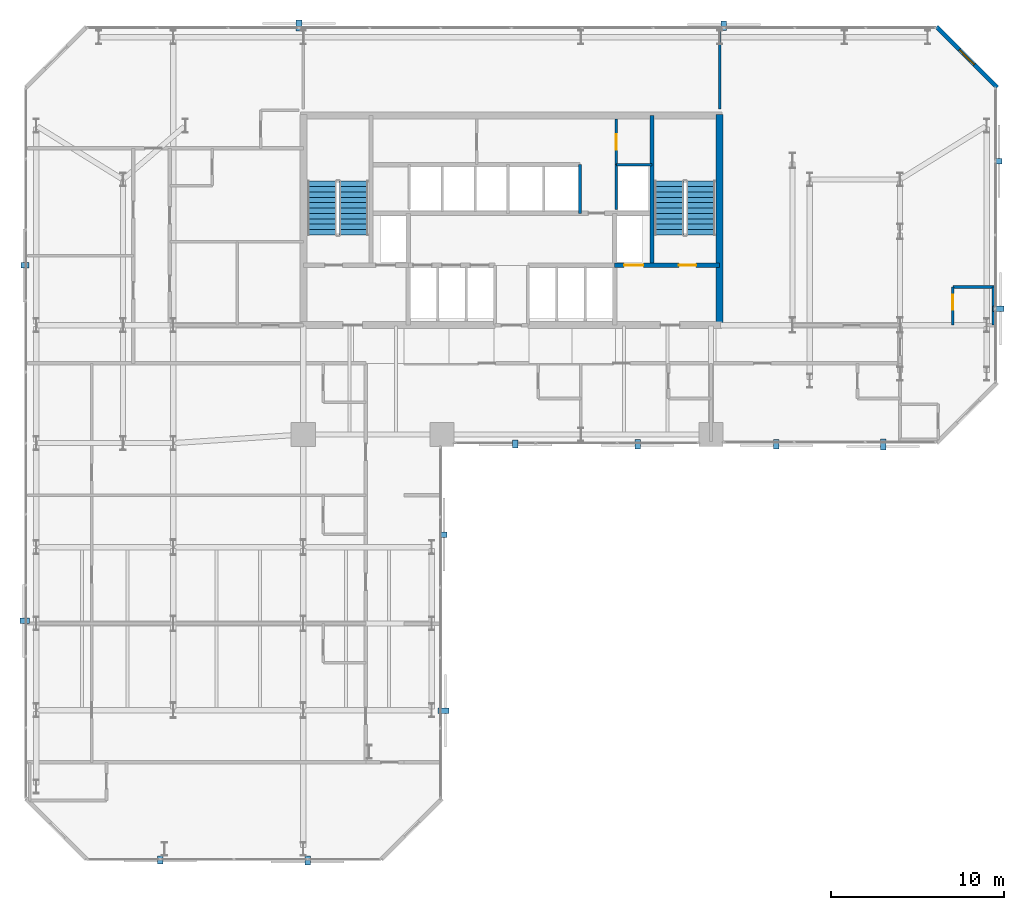
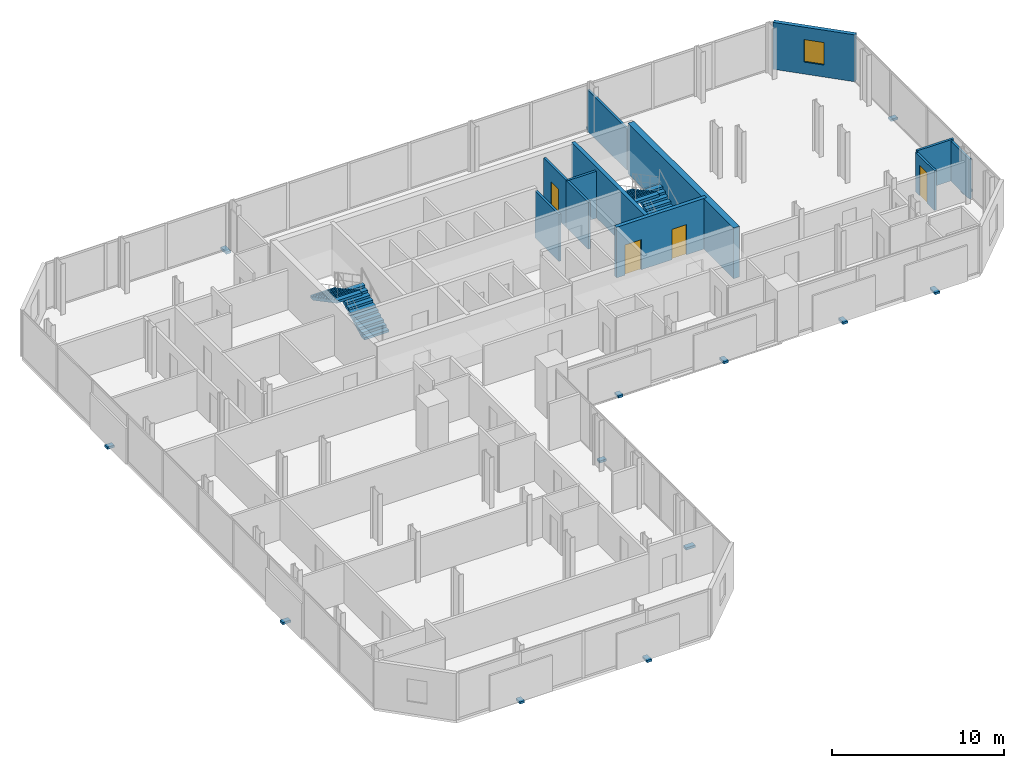
# One storey, part 31 of 33: 14 discrete accessories, 12 walls, 4 doors, 4 stair flights, 1 window, 5 openings, 2 elements without a shape of their own.
"""IFC4 building model written with IfcOpenShell, lengths in metres."""

from ifc_helpers import new_model, si_unit, direction, frame, frame_2d, origin, origin_2d, place, context, subcontext, project, spatial, polyline, rectangle, outline, extrude, material, layer, layer_set, type_object, element, fill, aggregate, save


model = new_model("IFC4")

# Units and contexts
model_context = context("Model", 3, precision=1e-05, world=origin(), true_north=direction((0.0, 1.0)))
body_context = subcontext(model_context, "Body", "Model", "MODEL_VIEW")
ifc_project = project(units=[si_unit("LENGTHUNIT", "METRE"), si_unit("AREAUNIT", "SQUARE_METRE"), si_unit("VOLUMEUNIT", "CUBIC_METRE"), si_unit("PLANEANGLEUNIT", "RADIAN"), si_unit("MASSUNIT", "GRAM", prefix="KILO")], contexts=[model_context])

# Site, building, storey
site_placement = place(None, origin())
site = spatial("IfcSite", under=ifc_project, at=site_placement, CompositionType="ELEMENT")
building_placement = place(site_placement, origin())
building = spatial("IfcBuilding", under=site, at=building_placement, Name="Catumbela Crestline Tower", CompositionType="ELEMENT")
storey_placement = place(building_placement, frame((0.0, 0.0, 54.6)))
storey = spatial("IfcBuildingStorey", under=building, at=storey_placement, Name="L13", CompositionType="ELEMENT", Elevation=54.6)

# Wall
ifc_material_1 = material(Name="Concrete C50/60", Category="concrete")
ifc_layer_1 = layer(ifc_material_1, 0.25, Name="Concrete C50/60")
ifc_layer_set_1 = layer_set([ifc_layer_1], Name="Concrete C50/60")
wall_type_1 = type_object("IfcWallType", Name="CW-250D", PredefinedType="SHEAR", material=ifc_layer_set_1)
wall_1_placement = place(storey_placement, frame((36.1, 34.25, 0.0), z_axis=(0.0, 0.0, 1.0), x_axis=(0.0, 1.0, 0.0)))
element("IfcWall", 1, at=wall_1_placement, inside=storey, type_object=wall_type_1, Name="L13 Structural Core Shear Wall EWEB", PredefinedType="SHEAR", context=body_context, shape_type="SweptSolid", body=[
    extrude(rectangle(XDim=8.65, YDim=0.25, at=frame_2d((4.325, 0.0))), origin(), (0.0, 0.0, 1.0), 3.6),
])

# Wall, openings, doors
wall_2_placement = place(storey_placement, frame((33.95, 34.25, 0.0), z_axis=(0.0, 0.0, 1.0), x_axis=(1.0, 0.0, 0.0)))
wall_2 = element("IfcWall", 2, at=wall_2_placement, inside=storey, type_object=wall_type_1, Name="L13 Structural Core Shear Wall ST2S", PredefinedType="SHEAR", context=body_context, shape_type="SweptSolid", body=[
    extrude(rectangle(XDim=6.05, YDim=0.25, at=frame_2d((3.025, 0.0))), origin(), (0.0, 0.0, 1.0), 3.6),
])
opening_1_placement = place(wall_2_placement, frame((3.7, 0.0, 0.0)))
opening_1 = element("IfcOpeningElement", 3, at=opening_1_placement, cuts=wall_2, Name="Opening DF9-100", PredefinedType="OPENING", context=body_context, shape_type="SweptSolid", body=[
    extrude(rectangle(XDim=1.0, YDim=2.15, at=frame_2d((0.5, 1.075))), frame((0.0, 0.135, 0.0), z_axis=(0.0, -1.0, 0.0), x_axis=(1.0, 0.0, 0.0)), (0.0, 0.0, 1.0), 0.27),
])
opening_2_placement = place(wall_2_placement, frame((0.55, 0.0, 0.0)))
opening_2 = element("IfcOpeningElement", 4, at=opening_2_placement, cuts=wall_2, Name="Opening LD-110", PredefinedType="OPENING", context=body_context, shape_type="SweptSolid", body=[
    extrude(rectangle(XDim=1.1, YDim=2.15, at=frame_2d((0.55, 1.075))), frame((0.0, 0.135, 0.0), z_axis=(0.0, -1.0, 0.0), x_axis=(1.0, 0.0, 0.0)), (0.0, 0.0, 1.0), 0.27),
])
ifc_material_2 = material(Name="Stainless steel EN 1.4401", Category="steel")
door_type_1 = type_object("IfcDoorType", Name="DF9-100", OperationType="NOTDEFINED", PredefinedType="DOOR", material=ifc_material_2)
door_1_placement = place(opening_1_placement, origin())
door_1 = element("IfcDoor", 5, at=door_1_placement, inside=storey, type_object=door_type_1, Name="L13 Interior Door DR-L13-ST02", OperationType="SINGLE_SWING_RIGHT", OverallHeight=2.15, OverallWidth=1.0, PredefinedType="DOOR", context=body_context, shape_type="SweptSolid", body=[
    extrude(rectangle(XDim=1.0, YDim=2.15, at=frame_2d((0.5, 1.075))), frame((0.0, 0.025, 0.0), z_axis=(0.0, -1.0, 0.0), x_axis=(1.0, 0.0, 0.0)), (0.0, 0.0, 1.0), 0.05),
])
fill(opening_1, door_1)
door_type_2 = type_object("IfcDoorType", Name="LD-110", OperationType="NOTDEFINED", PredefinedType="DOOR", material=ifc_material_2)
door_2_placement = place(opening_2_placement, origin())
door_2 = element("IfcDoor", 6, at=door_2_placement, inside=storey, type_object=door_type_2, Name="L13 Lift Landing Sliding Door FL-02", OperationType="DOUBLE_DOOR_SLIDING", OverallHeight=2.15, OverallWidth=1.1, PredefinedType="DOOR", context=body_context, shape_type="SweptSolid", body=[
    extrude(rectangle(XDim=1.1, YDim=2.15, at=frame_2d((0.55, 1.075))), frame((0.0, 0.025, 0.0), z_axis=(0.0, -1.0, 0.0), x_axis=(1.0, 0.0, 0.0)), (0.0, 0.0, 1.0), 0.05),
])
fill(opening_2, door_2)

# Wall
ifc_material_3 = material(Name="Concrete C60/75", Category="concrete")
ifc_layer_2 = layer(ifc_material_3, 0.4, Name="Concrete C60/75")
ifc_layer_set_2 = layer_set([ifc_layer_2], Name="Concrete C60/75")
wall_type_2 = type_object("IfcWallType", Name="CW-400A", PredefinedType="SHEAR", material=ifc_layer_set_2)
wall_3_placement = place(storey_placement, frame((40.0, 30.65, 0.0), z_axis=(0.0, 0.0, 1.0), x_axis=(0.0, 1.0, 0.0)))
element("IfcWall", 7, at=wall_3_placement, inside=storey, type_object=wall_type_2, Name="L13 Structural Core Shear Wall E", PredefinedType="SHEAR", context=body_context, shape_type="SweptSolid", body=[
    extrude(rectangle(XDim=12.3, YDim=0.4, at=frame_2d((6.15, 0.0))), origin(), (0.0, 0.0, 1.0), 3.6),
])

# Wall, opening, window
ifc_material_4 = material(Name="Angolan grey-ochre granite", Category="masonry")
ifc_layer_3 = layer(ifc_material_4, 0.25, Name="Angolan grey-ochre granite")
ifc_layer_set_3 = layer_set([ifc_layer_3], Name="Angolan grey-ochre granite")
wall_type_3 = type_object("IfcWallType", Name="WE-250", PredefinedType="STANDARD", material=ifc_layer_set_3)
wall_4_placement = place(storey_placement, frame((56.0, 44.5, 0.0), z_axis=(0.0, 0.0, 1.0), x_axis=(-0.707106781187, 0.707106781187, 0.0)))
wall_4 = element("IfcWall", 8, at=wall_4_placement, inside=storey, type_object=wall_type_3, Name="L13 Granite Punched Window Wall 6-1", PredefinedType="STANDARD", context=body_context, shape_type="SweptSolid", body=[
    extrude(rectangle(XDim=4.9497, YDim=0.25, at=frame_2d((2.4748, 0.0))), origin(), (0.0, 0.0, 1.0), 3.33),
])
opening_3_placement = place(wall_4_placement, frame((1.8748, 0.0, 0.85)))
opening_3 = element("IfcOpeningElement", 9, at=opening_3_placement, cuts=wall_4, Name="Opening WN-02", PredefinedType="OPENING", context=body_context, shape_type="SweptSolid", body=[
    extrude(rectangle(XDim=1.2, YDim=1.6, at=frame_2d((0.6, 0.8))), frame((0.0, 0.135, 0.0), z_axis=(0.0, -1.0, 0.0), x_axis=(1.0, 0.0, 0.0)), (0.0, 0.0, 1.0), 0.27),
])
ifc_material_5 = material(Name="Low-E laminated solar-control double glazing", Category="glass")
window_type = type_object("IfcWindowType", Name="WO-1200", PartitioningType="SINGLE_PANEL", PredefinedType="WINDOW", material=ifc_material_5)
window_placement = place(opening_3_placement, origin())
window = element("IfcWindow", 10, at=window_placement, inside=storey, type_object=window_type, Name="L13 Facade Vision Window 90", OverallHeight=1.6, OverallWidth=1.2, PartitioningType="SINGLE_PANEL", PredefinedType="WINDOW", context=body_context, shape_type="SweptSolid", body=[
    extrude(rectangle(XDim=1.2, YDim=1.6, at=frame_2d((0.6, 0.8))), frame((0.0, 0.03, 0.0), z_axis=(0.0, -1.0, 0.0), x_axis=(1.0, 0.0, 0.0)), (0.0, 0.0, 1.0), 0.06),
])
fill(opening_3, window)

# Wall
ifc_material_6 = material(Name="Acoustic gypsum and mineral-wool partition")
ifc_layer_4 = layer(ifc_material_6, 0.15, Name="Acoustic gypsum and mineral-wool partition")
ifc_layer_set_4 = layer_set([ifc_layer_4], Name="Acoustic gypsum and mineral-wool partition")
wall_type_4 = type_object("IfcWallType", Name="WP-150", PredefinedType="PARTITIONING", material=ifc_layer_set_4)
wall_5_placement = place(storey_placement, frame((34.05, 40.05, 0.0), z_axis=(0.0, 0.0, 1.0), x_axis=(1.0, 0.0, 0.0)))
element("IfcWall", 11, at=wall_5_placement, inside=storey, type_object=wall_type_4, Name="L13 Interior Partition PW-L13-CR-ES", PredefinedType="PARTITIONING", context=body_context, shape_type="SweptSolid", body=[
    extrude(rectangle(XDim=2.05, YDim=0.15, at=frame_2d((1.025, 0.0))), origin(), (0.0, 0.0, 1.0), 3.33),
])

# Wall, opening, door
wall_6_placement = place(storey_placement, frame((34.05, 40.05, 0.0), z_axis=(0.0, 0.0, 1.0), x_axis=(0.0, 1.0, 0.0)))
wall_6 = element("IfcWall", 12, at=wall_6_placement, inside=storey, type_object=wall_type_4, Name="L13 Interior Partition PW-L13-CR-EW", PredefinedType="PARTITIONING", context=body_context, shape_type="SweptSolid", body=[
    extrude(rectangle(XDim=2.63, YDim=0.15, at=frame_2d((1.315, 0.0))), origin(), (0.0, 0.0, 1.0), 3.33),
])
opening_4_placement = place(wall_6_placement, frame((0.865, 0.0, 0.0)))
opening_4 = element("IfcOpeningElement", 13, at=opening_4_placement, cuts=wall_6, Name="Opening DF9-090", PredefinedType="OPENING", context=body_context, shape_type="SweptSolid", body=[
    extrude(rectangle(XDim=0.9, YDim=2.15, at=frame_2d((0.45, 1.075))), frame((0.0, 0.085, 0.0), z_axis=(0.0, -1.0, 0.0), x_axis=(1.0, 0.0, 0.0)), (0.0, 0.0, 1.0), 0.17),
])
door_type_3 = type_object("IfcDoorType", Name="DF9-090", OperationType="NOTDEFINED", PredefinedType="DOOR", material=ifc_material_2)
door_3_placement = place(opening_4_placement, origin())
door_3 = element("IfcDoor", 14, at=door_3_placement, inside=storey, type_object=door_type_3, Name="L13 Interior Door DR-L13-CREAST", OperationType="SINGLE_SWING_RIGHT", OverallHeight=2.15, OverallWidth=0.9, PredefinedType="DOOR", context=body_context, shape_type="SweptSolid", body=[
    extrude(rectangle(XDim=0.9, YDim=2.15, at=frame_2d((0.45, 1.075))), frame((0.0, 0.025, 0.0), z_axis=(0.0, -1.0, 0.0), x_axis=(1.0, 0.0, 0.0)), (0.0, 0.0, 1.0), 0.05),
])
fill(opening_4, door_3)

# Walls
wall_7_placement = place(storey_placement, frame((40.0, 43.27, 0.0), z_axis=(0.0, 0.0, 1.0), x_axis=(0.0, 1.0, 0.0)))
element("IfcWall", 15, at=wall_7_placement, inside=storey, type_object=wall_type_4, Name="L13 Interior Partition PW-L13-NCF-E", PredefinedType="PARTITIONING", context=body_context, shape_type="SweptSolid", body=[
    extrude(rectangle(XDim=4.63, YDim=0.15, at=frame_2d((2.315, 0.0))), origin(), (0.0, 0.0, 1.0), 2.93),
])
wall_8_placement = place(storey_placement, frame((53.45, 33.0, 0.0), z_axis=(0.0, 0.0, 1.0), x_axis=(1.0, 0.0, 0.0)))
element("IfcWall", 16, at=wall_8_placement, inside=storey, type_object=wall_type_4, Name="L13 Interior Partition PW-L13-NES-BHW", PredefinedType="PARTITIONING", context=body_context, shape_type="SweptSolid", body=[
    extrude(rectangle(XDim=2.45, YDim=0.15, at=frame_2d((1.225, 0.0))), origin(), (0.0, 0.0, 1.0), 2.93),
])

# Wall, opening, door
wall_9_placement = place(storey_placement, frame((53.45, 30.8, 0.0), z_axis=(0.0, 0.0, 1.0), x_axis=(0.0, 1.0, 0.0)))
wall_9 = element("IfcWall", 17, at=wall_9_placement, inside=storey, type_object=wall_type_4, Name="L13 Interior Partition PW-L13-NES-BWW", PredefinedType="PARTITIONING", context=body_context, shape_type="SweptSolid", body=[
    extrude(rectangle(XDim=2.2, YDim=0.15, at=frame_2d((1.1, 0.0))), origin(), (0.0, 0.0, 1.0), 2.82),
])
opening_5_placement = place(wall_9_placement, frame((0.8925, 0.0, 0.0)))
opening_5 = element("IfcOpeningElement", 18, at=opening_5_placement, cuts=wall_9, Name="Opening DI-085", PredefinedType="OPENING", context=body_context, shape_type="SweptSolid", body=[
    extrude(rectangle(XDim=0.85, YDim=2.15, at=frame_2d((0.425, 1.075))), frame((0.0, 0.085, 0.0), z_axis=(0.0, -1.0, 0.0), x_axis=(1.0, 0.0, 0.0)), (0.0, 0.0, 1.0), 0.17),
])
ifc_material_7 = material(Name="Aluminium alloy AW-6060-T66", Category="aluminium")
door_type_4 = type_object("IfcDoorType", Name="DI-085", OperationType="NOTDEFINED", PredefinedType="DOOR", material=ifc_material_7)
door_4_placement = place(opening_5_placement, origin())
door_4 = element("IfcDoor", 19, at=door_4_placement, inside=storey, type_object=door_type_4, Name="L13 Interior Door DR-L13-NES-BTH", OperationType="SINGLE_SWING_RIGHT", OverallHeight=2.15, OverallWidth=0.85, PredefinedType="DOOR", context=body_context, shape_type="SweptSolid", body=[
    extrude(rectangle(XDim=0.85, YDim=2.15, at=frame_2d((0.425, 1.075))), frame((0.0, 0.025, 0.0), z_axis=(0.0, -1.0, 0.0), x_axis=(1.0, 0.0, 0.0)), (0.0, 0.0, 1.0), 0.05),
])
fill(opening_5, door_4)

# Walls
wall_10_placement = place(storey_placement, frame((55.78, 33.0, 0.0), z_axis=(0.0, 0.0, 1.0), x_axis=(0.0, -1.0, 0.0)))
element("IfcWall", 20, at=wall_10_placement, inside=storey, type_object=wall_type_4, Name="L13 Interior Partition PW-L13-NES-BCL-2", PredefinedType="PARTITIONING", context=body_context, shape_type="SweptSolid", body=[
    extrude(rectangle(XDim=2.2, YDim=0.15, at=frame_2d((1.1, 0.0))), origin(), (0.0, 0.0, 1.0), 2.82),
])
ifc_layer_5 = layer(ifc_material_6, 0.15, Name="Acoustic gypsum and mineral-wool partition")
ifc_layer_set_5 = layer_set([ifc_layer_5], Name="Acoustic gypsum and mineral-wool partition")
wall_type_5 = type_object("IfcWallType", Name="WS-150", PredefinedType="PLUMBINGWALL", material=ifc_layer_set_5)
wall_11_placement = place(storey_placement, frame((31.95, 37.25, 0.0), z_axis=(0.0, 0.0, 1.0), x_axis=(0.0, 1.0, 0.0)))
element("IfcWall", 21, at=wall_11_placement, inside=storey, type_object=wall_type_5, Name="L13 Interior Partition PW-L13-SHEX2E", PredefinedType="PLUMBINGWALL", context=body_context, shape_type="SweptSolid", body=[
    extrude(rectangle(XDim=2.8, YDim=0.15, at=frame_2d((1.4, 0.0))), origin(), (0.0, 0.0, 1.0), 3.33),
])
wall_12_placement = place(storey_placement, frame((34.05, 37.4734, 0.0), z_axis=(0.0, 0.0, 1.0), x_axis=(0.0, 1.0, 0.0)))
element("IfcWall", 22, at=wall_12_placement, inside=storey, type_object=wall_type_5, Name="L13 Interior Partition PW-L13-RISW", PredefinedType="PLUMBINGWALL", context=body_context, shape_type="SweptSolid", body=[
    extrude(rectangle(XDim=2.5766, YDim=0.15, at=frame_2d((1.2883, 0.0))), origin(), (0.0, 0.0, 1.0), 3.33),
])

# Stair, stair flights
ifc_material_8 = material(Name="Concrete C45/55", Category="concrete")
stair_type = type_object("IfcStairType", Name="ST-DLG", PredefinedType="HALF_TURN_STAIR", material=ifc_material_8)
stair_1_placement = place(storey_placement, origin())
stair_1 = element("IfcStair", 23, at=stair_1_placement, inside=storey, type_object=stair_type, Name="L13 West Core Pressurised Exit Stair ST-01", PredefinedType="HALF_TURN_STAIR")
stair_flight_type = type_object("IfcStairFlightType", Name="SF-1636", PredefinedType="STRAIGHT", material=ifc_material_8)
stair_flight_1_placement = place(storey_placement, frame((18.92, 36.0, 0.0), z_axis=(0.0, 0.0, 1.0), x_axis=(0.0, 1.0, 0.0)))
stair_flight_1 = element("IfcStairFlight", 24, at=stair_flight_1_placement, type_object=stair_flight_type, Name="ST-01 flight 1", NumberOfRisers=11, NumberOfTreads=10, PredefinedType="STRAIGHT", RiserHeight=0.163636364, TreadLength=0.31, context=body_context, shape_type="SweptSolid", body=[
    extrude(outline(polyline([(0.0, 0.0), (0.0, 0.1636), (0.31, 0.1636), (0.31, 0.3273), (0.62, 0.3273), (0.62, 0.4909), (0.93, 0.4909), (0.93, 0.6545), (1.24, 0.6545), (1.24, 0.8182), (1.55, 0.8182), (1.55, 0.9818), (1.86, 0.9818), (1.86, 1.1455), (2.17, 1.1455), (2.17, 1.3091), (2.48, 1.3091), (2.48, 1.4727), (2.79, 1.4727), (2.79, 1.6364), (3.1, 1.6364), (3.1, 1.8), (3.1, 1.4554), (0.3427, 0.0), (0.0, 0.0)])), frame((0.0, 0.83, 0.0), z_axis=(0.0, -1.0, 0.0), x_axis=(1.0, 0.0, 0.0)), (0.0, 0.0, 1.0), 1.66),
])
stair_flight_2_placement = place(storey_placement, frame((17.08, 39.1, 1.8), z_axis=(0.0, 0.0, 1.0), x_axis=(0.0, -1.0, 0.0)))
stair_flight_2 = element("IfcStairFlight", 25, at=stair_flight_2_placement, type_object=stair_flight_type, Name="ST-01 flight 2", NumberOfRisers=11, NumberOfTreads=10, PredefinedType="STRAIGHT", RiserHeight=0.163636364, TreadLength=0.31, context=body_context, shape_type="SweptSolid", body=[
    extrude(outline(polyline([(0.0, 0.0), (0.0, 0.1636), (0.31, 0.1636), (0.31, 0.3273), (0.62, 0.3273), (0.62, 0.4909), (0.93, 0.4909), (0.93, 0.6545), (1.24, 0.6545), (1.24, 0.8182), (1.55, 0.8182), (1.55, 0.9818), (1.86, 0.9818), (1.86, 1.1455), (2.17, 1.1455), (2.17, 1.3091), (2.48, 1.3091), (2.48, 1.4727), (2.79, 1.4727), (2.79, 1.6364), (3.1, 1.6364), (3.1, 1.8), (3.1, 1.4554), (0.3427, 0.0), (0.0, 0.0)])), frame((0.0, 0.83, 0.0), z_axis=(0.0, -1.0, 0.0), x_axis=(1.0, 0.0, 0.0)), (0.0, 0.0, 1.0), 1.66),
])
aggregate(stair_1, [stair_flight_1, stair_flight_2])

stair_2_placement = place(storey_placement, origin())
stair_2 = element("IfcStair", 26, at=stair_2_placement, inside=storey, type_object=stair_type, Name="L13 East Core Pressurised Exit Stair ST-02", PredefinedType="HALF_TURN_STAIR")
stair_flight_3_placement = place(storey_placement, frame((38.92, 36.0, 0.0), z_axis=(0.0, 0.0, 1.0), x_axis=(0.0, 1.0, 0.0)))
stair_flight_3 = element("IfcStairFlight", 27, at=stair_flight_3_placement, type_object=stair_flight_type, Name="ST-02 flight 1", NumberOfRisers=11, NumberOfTreads=10, PredefinedType="STRAIGHT", RiserHeight=0.163636364, TreadLength=0.31, context=body_context, shape_type="SweptSolid", body=[
    extrude(outline(polyline([(0.0, 0.0), (0.0, 0.1636), (0.31, 0.1636), (0.31, 0.3273), (0.62, 0.3273), (0.62, 0.4909), (0.93, 0.4909), (0.93, 0.6545), (1.24, 0.6545), (1.24, 0.8182), (1.55, 0.8182), (1.55, 0.9818), (1.86, 0.9818), (1.86, 1.1455), (2.17, 1.1455), (2.17, 1.3091), (2.48, 1.3091), (2.48, 1.4727), (2.79, 1.4727), (2.79, 1.6364), (3.1, 1.6364), (3.1, 1.8), (3.1, 1.4554), (0.3427, 0.0), (0.0, 0.0)])), frame((0.0, 0.83, 0.0), z_axis=(0.0, -1.0, 0.0), x_axis=(1.0, 0.0, 0.0)), (0.0, 0.0, 1.0), 1.66),
])
stair_flight_4_placement = place(storey_placement, frame((37.08, 39.1, 1.8), z_axis=(0.0, 0.0, 1.0), x_axis=(0.0, -1.0, 0.0)))
stair_flight_4 = element("IfcStairFlight", 28, at=stair_flight_4_placement, type_object=stair_flight_type, Name="ST-02 flight 2", NumberOfRisers=11, NumberOfTreads=10, PredefinedType="STRAIGHT", RiserHeight=0.163636364, TreadLength=0.31, context=body_context, shape_type="SweptSolid", body=[
    extrude(outline(polyline([(0.0, 0.0), (0.0, 0.1636), (0.31, 0.1636), (0.31, 0.3273), (0.62, 0.3273), (0.62, 0.4909), (0.93, 0.4909), (0.93, 0.6545), (1.24, 0.6545), (1.24, 0.8182), (1.55, 0.8182), (1.55, 0.9818), (1.86, 0.9818), (1.86, 1.1455), (2.17, 1.1455), (2.17, 1.3091), (2.48, 1.3091), (2.48, 1.4727), (2.79, 1.4727), (2.79, 1.6364), (3.1, 1.6364), (3.1, 1.8), (3.1, 1.4554), (0.3427, 0.0), (0.0, 0.0)])), frame((0.0, 0.83, 0.0), z_axis=(0.0, -1.0, 0.0), x_axis=(1.0, 0.0, 0.0)), (0.0, 0.0, 1.0), 1.66),
])
aggregate(stair_2, [stair_flight_3, stair_flight_4])

# Discrete accessories
discrete_accessory_type = type_object("IfcDiscreteAccessoryType", Name="BK-SS1", PredefinedType="BRACKET", material=ifc_material_2)
discrete_accessory_1_placement = place(storey_placement, frame((7.75, -0.045, -0.18), z_axis=(0.0, 0.0, 1.0), x_axis=(1.0, 0.0, 0.0)))
element("IfcDiscreteAccessory", 29, at=discrete_accessory_1_placement, inside=storey, type_object=discrete_accessory_type, Name="L13 Solar Screen Stainless Bracket 113", PredefinedType="BRACKET", context=body_context, shape_type="SweptSolid", body=[
    extrude(rectangle(XDim=0.32, YDim=0.46, at=origin_2d()), origin(), (0.0, 0.0, 1.0), 0.16),
])
discrete_accessory_2_placement = place(storey_placement, frame((16.25, -0.065, -0.18), z_axis=(0.0, 0.0, 1.0), x_axis=(1.0, 0.0, 0.0)))
element("IfcDiscreteAccessory", 30, at=discrete_accessory_2_placement, inside=storey, type_object=discrete_accessory_type, Name="L13 Solar Screen Stainless Bracket 114", PredefinedType="BRACKET", context=body_context, shape_type="SweptSolid", body=[
    extrude(rectangle(XDim=0.32, YDim=0.54, at=origin_2d()), origin(), (0.0, 0.0, 1.0), 0.16),
])
discrete_accessory_3_placement = place(storey_placement, frame((24.085, 8.575, -0.18), z_axis=(0.0, 0.0, 1.0), x_axis=(0.0, 1.0, 0.0)))
element("IfcDiscreteAccessory", 31, at=discrete_accessory_3_placement, inside=storey, type_object=discrete_accessory_type, Name="L13 Solar Screen Stainless Bracket 115", PredefinedType="BRACKET", context=body_context, shape_type="SweptSolid", body=[
    extrude(rectangle(XDim=0.32, YDim=0.62, at=origin_2d()), origin(), (0.0, 0.0, 1.0), 0.16),
])
for number, where, z_axis, x_axis, name in (
    (32, (24.045, 18.725, -0.18), (0.0, 0.0, 1.0), (0.0, 1.0, 0.0), "L13 Solar Screen Stainless Bracket 116"),
    (33, (28.225, 23.955, -0.18), (0.0, 0.0, 1.0), (1.0, 0.0, 0.0), "L13 Solar Screen Stainless Bracket 117"),
):
    element("IfcDiscreteAccessory", number, at=place(storey_placement, frame(where, z_axis=z_axis, x_axis=x_axis)), inside=storey, type_object=discrete_accessory_type, Name=name, PredefinedType="BRACKET", context=body_context, shape_type="SweptSolid", body=[
        extrude(rectangle(XDim=0.32, YDim=0.46, at=origin_2d()), origin(), (0.0, 0.0, 1.0), 0.16),
    ])
for number, where, z_axis, x_axis, name in (
    (34, (35.275, 23.935, -0.18), (0.0, 0.0, 1.0), (1.0, 0.0, 0.0), "L13 Solar Screen Stainless Bracket 118"),
    (35, (43.275, 23.935, -0.18), (0.0, 0.0, 1.0), (1.0, 0.0, 0.0), "L13 Solar Screen Stainless Bracket 119"),
):
    element("IfcDiscreteAccessory", number, at=place(storey_placement, frame(where, z_axis=z_axis, x_axis=x_axis)), inside=storey, type_object=discrete_accessory_type, Name=name, PredefinedType="BRACKET", context=body_context, shape_type="SweptSolid", body=[
        extrude(rectangle(XDim=0.32, YDim=0.54, at=origin_2d()), origin(), (0.0, 0.0, 1.0), 0.16),
    ])
for number, where, z_axis, x_axis, name in (
    (36, (49.425, 23.915, -0.18), (0.0, 0.0, 1.0), (1.0, 0.0, 0.0), "L13 Solar Screen Stainless Bracket 120"),
    (37, (56.085, 31.75, -0.18), (0.0, 0.0, 1.0), (0.0, 1.0, 0.0), "L13 Solar Screen Stainless Bracket 121"),
):
    element("IfcDiscreteAccessory", number, at=place(storey_placement, frame(where, z_axis=z_axis, x_axis=x_axis)), inside=storey, type_object=discrete_accessory_type, Name=name, PredefinedType="BRACKET", context=body_context, shape_type="SweptSolid", body=[
        extrude(rectangle(XDim=0.32, YDim=0.62, at=origin_2d()), origin(), (0.0, 0.0, 1.0), 0.16),
    ])
discrete_accessory_4_placement = place(storey_placement, frame((56.045, 40.25, -0.18), z_axis=(0.0, 0.0, 1.0), x_axis=(0.0, 1.0, 0.0)))
element("IfcDiscreteAccessory", 38, at=discrete_accessory_4_placement, inside=storey, type_object=discrete_accessory_type, Name="L13 Solar Screen Stainless Bracket 122", PredefinedType="BRACKET", context=body_context, shape_type="SweptSolid", body=[
    extrude(rectangle(XDim=0.32, YDim=0.46, at=origin_2d()), origin(), (0.0, 0.0, 1.0), 0.16),
])
discrete_accessory_5_placement = place(storey_placement, frame((40.25, 48.065, -0.18), z_axis=(0.0, 0.0, 1.0), x_axis=(-1.0, 0.0, 0.0)))
element("IfcDiscreteAccessory", 39, at=discrete_accessory_5_placement, inside=storey, type_object=discrete_accessory_type, Name="L13 Solar Screen Stainless Bracket 123", PredefinedType="BRACKET", context=body_context, shape_type="SweptSolid", body=[
    extrude(rectangle(XDim=0.32, YDim=0.54, at=origin_2d()), origin(), (0.0, 0.0, 1.0), 0.16),
])
discrete_accessory_6_placement = place(storey_placement, frame((15.75, 48.085, -0.18), z_axis=(0.0, 0.0, 1.0), x_axis=(-1.0, 0.0, 0.0)))
element("IfcDiscreteAccessory", 40, at=discrete_accessory_6_placement, inside=storey, type_object=discrete_accessory_type, Name="L13 Solar Screen Stainless Bracket 124", PredefinedType="BRACKET", context=body_context, shape_type="SweptSolid", body=[
    extrude(rectangle(XDim=0.32, YDim=0.62, at=origin_2d()), origin(), (0.0, 0.0, 1.0), 0.16),
])
discrete_accessory_7_placement = place(storey_placement, frame((-0.045, 34.25, -0.18), z_axis=(0.0, 0.0, 1.0), x_axis=(0.0, -1.0, 0.0)))
element("IfcDiscreteAccessory", 41, at=discrete_accessory_7_placement, inside=storey, type_object=discrete_accessory_type, Name="L13 Solar Screen Stainless Bracket 125", PredefinedType="BRACKET", context=body_context, shape_type="SweptSolid", body=[
    extrude(rectangle(XDim=0.32, YDim=0.46, at=origin_2d()), origin(), (0.0, 0.0, 1.0), 0.16),
])
discrete_accessory_8_placement = place(storey_placement, frame((-0.065, 13.75, -0.18), z_axis=(0.0, 0.0, 1.0), x_axis=(0.0, -1.0, 0.0)))
element("IfcDiscreteAccessory", 42, at=discrete_accessory_8_placement, inside=storey, type_object=discrete_accessory_type, Name="L13 Solar Screen Stainless Bracket 126", PredefinedType="BRACKET", context=body_context, shape_type="SweptSolid", body=[
    extrude(rectangle(XDim=0.32, YDim=0.54, at=origin_2d()), origin(), (0.0, 0.0, 1.0), 0.16),
])

save(model, "model.ifc")
